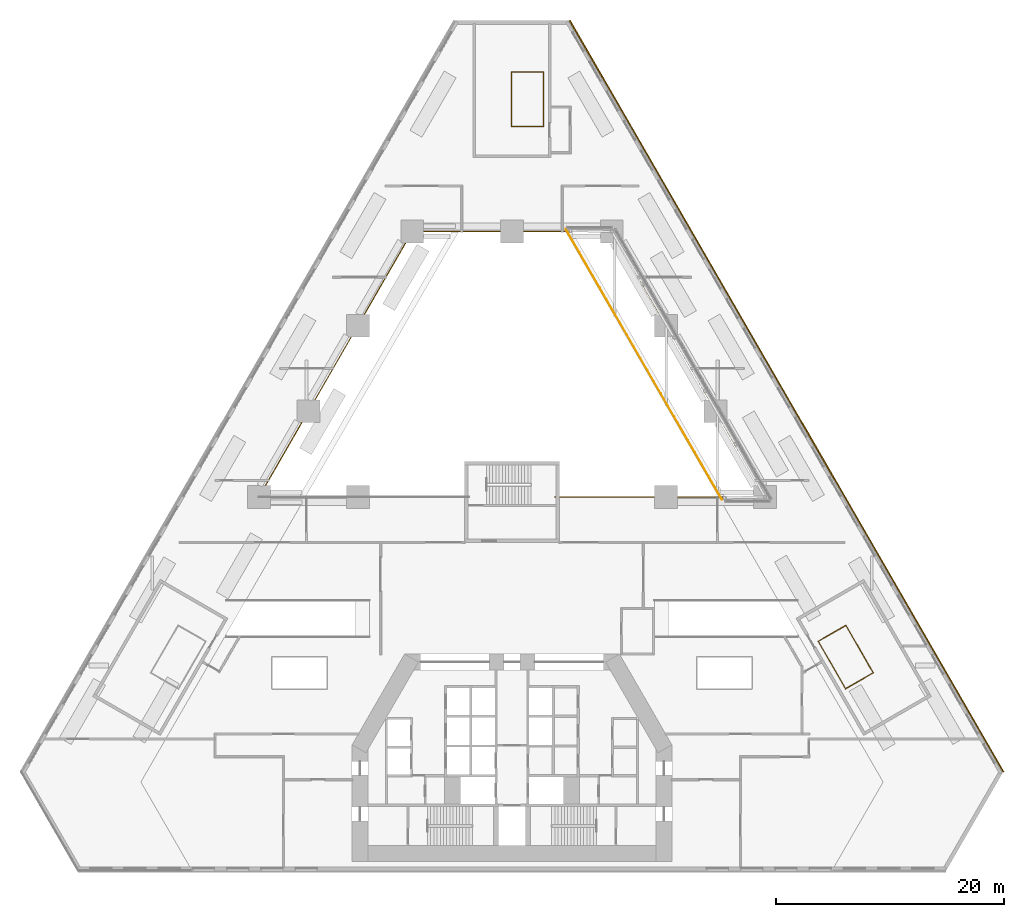
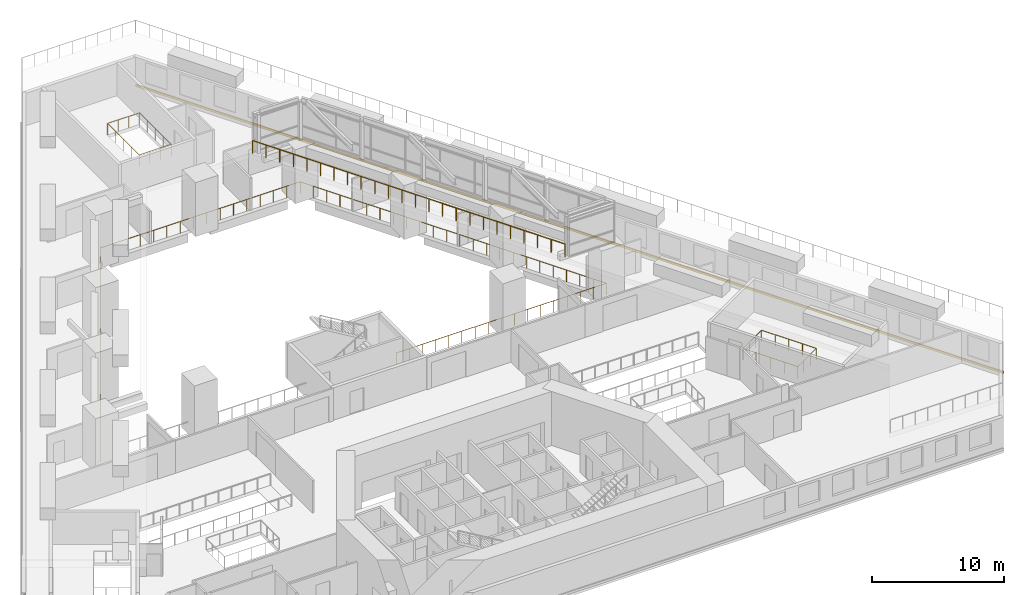
# One storey, part 19 of 19: 4 railings, 1 covering.
"""IFC4 building model written with IfcOpenShell, lengths in metres."""

from ifc_helpers import new_model, si_unit, direction, frame, origin, origin_2d, place, context, subcontext, project, spatial, polyline, circle, outline, extrude, material, type_object, element, save


model = new_model("IFC4")

# Units and contexts
model_context = context("Model", 3, precision=1e-05, world=origin(), true_north=direction((0.0, 1.0)))
body_context = subcontext(model_context, "Body", "Model", "MODEL_VIEW")
ifc_project = project(units=[si_unit("LENGTHUNIT", "METRE"), si_unit("AREAUNIT", "SQUARE_METRE"), si_unit("VOLUMEUNIT", "CUBIC_METRE"), si_unit("PLANEANGLEUNIT", "RADIAN"), si_unit("MASSUNIT", "GRAM", prefix="KILO")], contexts=[model_context])

# Site, building, storey
site_placement = place(None, origin())
site = spatial("IfcSite", under=ifc_project, at=site_placement, CompositionType="ELEMENT")
building_placement = place(site_placement, origin())
building = spatial("IfcBuilding", under=site, at=building_placement, Name="Fogline Exchange Tower", CompositionType="ELEMENT")
storey_placement = place(building_placement, frame((0.0, 0.0, 20.0)))
storey = spatial("IfcBuildingStorey", under=building, at=storey_placement, Name="L03", CompositionType="ELEMENT", Elevation=20.0)

# Railings
ifc_material_1 = material(Name="Stainless steel 304", Category="steel")
railing_type_1 = type_object("IfcRailingType", Name="G1", PredefinedType="GUARDRAIL", material=ifc_material_1)
railing_1_placement = place(storey_placement, frame((4.714599609375, 56.22021484375, 5.0)))
element("IfcRailing", 1, at=railing_1_placement, inside=storey, type_object=railing_type_1, Name="Lantern opening guard", PredefinedType="GUARDRAIL", context=body_context, shape_type="SweptSolid", body=[
    extrude(circle(Radius=0.02392578125, at=origin_2d()), frame((0.0, 0.0, 1.17578125), z_axis=(0.499992705137, -0.866029615435, 0.0), x_axis=(0.866029615435, 0.499992705137, 0.0)), (0.0, 0.0, 1.0), 27.34375),
    extrude(circle(Radius=0.02099609375, at=origin_2d()), origin(), (0.0, 0.0, 1.0), 1.15185546875),
    extrude(circle(Radius=0.02099609375, at=origin_2d()), frame((0.594482421875, -1.029541015625, 0.0)), (0.0, 0.0, 1.0), 1.15185546875),
    extrude(circle(Radius=0.02099609375, at=origin_2d()), frame((1.188720703125, -2.05908203125, 0.0)), (0.0, 0.0, 1.0), 1.15185546875),
    extrude(circle(Radius=0.02099609375, at=origin_2d()), frame((1.783203125, -3.0888671875, 0.0)), (0.0, 0.0, 1.0), 1.15185546875),
    extrude(circle(Radius=0.02099609375, at=origin_2d()), frame((2.377685546875, -4.118408203125, 0.0)), (0.0, 0.0, 1.0), 1.15185546875),
    extrude(circle(Radius=0.02099609375, at=origin_2d()), frame((2.97216796875, -5.14794921875, 0.0)), (0.0, 0.0, 1.0), 1.15185546875),
    extrude(circle(Radius=0.02099609375, at=origin_2d()), frame((3.56640625, -6.177490234375, 0.0)), (0.0, 0.0, 1.0), 1.15185546875),
    extrude(circle(Radius=0.02099609375, at=origin_2d()), frame((4.160888671875, -7.20703125, 0.0)), (0.0, 0.0, 1.0), 1.15185546875),
    extrude(circle(Radius=0.02099609375, at=origin_2d()), frame((4.75537109375, -8.236572265625, 0.0)), (0.0, 0.0, 1.0), 1.15185546875),
    extrude(circle(Radius=0.02099609375, at=origin_2d()), frame((5.349853515625, -9.266357421875, 0.0)), (0.0, 0.0, 1.0), 1.15185546875),
    extrude(circle(Radius=0.02099609375, at=origin_2d()), frame((5.944091796875, -10.2958984375, 0.0)), (0.0, 0.0, 1.0), 1.15185546875),
    extrude(circle(Radius=0.02099609375, at=origin_2d()), frame((6.53857421875, -11.325439453125, 0.0)), (0.0, 0.0, 1.0), 1.15185546875),
    extrude(circle(Radius=0.02099609375, at=origin_2d()), frame((7.133056640625, -12.35498046875, 0.0)), (0.0, 0.0, 1.0), 1.15185546875),
    extrude(circle(Radius=0.02099609375, at=origin_2d()), frame((7.7275390625, -13.384521484375, 0.0)), (0.0, 0.0, 1.0), 1.15185546875),
    extrude(circle(Radius=0.02099609375, at=origin_2d()), frame((8.32177734375, -14.4140625, 0.0)), (0.0, 0.0, 1.0), 1.15185546875),
    extrude(circle(Radius=0.02099609375, at=origin_2d()), frame((8.916259765625, -15.44384765625, 0.0)), (0.0, 0.0, 1.0), 1.15185546875),
    extrude(circle(Radius=0.02099609375, at=origin_2d()), frame((9.5107421875, -16.473388671875, 0.0)), (0.0, 0.0, 1.0), 1.15185546875),
    extrude(circle(Radius=0.02099609375, at=origin_2d()), frame((10.105224609375, -17.5029296875, 0.0)), (0.0, 0.0, 1.0), 1.15185546875),
    extrude(circle(Radius=0.02099609375, at=origin_2d()), frame((10.699462890625, -18.532470703125, 0.0)), (0.0, 0.0, 1.0), 1.15185546875),
    extrude(circle(Radius=0.02099609375, at=origin_2d()), frame((11.2939453125, -19.56201171875, 0.0)), (0.0, 0.0, 1.0), 1.15185546875),
    extrude(circle(Radius=0.02099609375, at=origin_2d()), frame((11.888427734375, -20.591552734375, 0.0)), (0.0, 0.0, 1.0), 1.15185546875),
    extrude(circle(Radius=0.02099609375, at=origin_2d()), frame((12.48291015625, -21.621337890625, 0.0)), (0.0, 0.0, 1.0), 1.15185546875),
    extrude(circle(Radius=0.02099609375, at=origin_2d()), frame((13.0771484375, -22.65087890625, 0.0)), (0.0, 0.0, 1.0), 1.15185546875),
    extrude(circle(Radius=0.02099609375, at=origin_2d()), frame((13.671630859375, -23.680419921875, 0.0)), (0.0, 0.0, 1.0), 1.15185546875),
])
ifc_material_2 = material(Name="Steel Q235B", Category="steel")
railing_type_2 = type_object("IfcRailingType", Name="PG1", PredefinedType="GUARDRAIL", material=ifc_material_2)
railing_2_placement = place(storey_placement, frame((31.63818359375, 17.360107421875, 0.0)))
element("IfcRailing", 2, at=railing_2_placement, inside=storey, type_object=railing_type_2, Name="Stair well guard ST5", PredefinedType="GUARDRAIL", context=body_context, shape_type="SweptSolid", body=[
    extrude(circle(Radius=0.02392578125, at=origin_2d()), frame((0.0, 0.0, 1.076171875), z_axis=(-0.866034573852, -0.49998411664, 0.0), x_axis=(0.49998411664, -0.866034573852, 0.0)), (0.0, 0.0, 1.0), 2.7998046875),
    extrude(circle(Radius=0.02392578125, at=origin_2d()), frame((-2.4248046875, -1.39990234375, 1.076171875), z_axis=(-0.499980858223, 0.866036455013, 0.0), x_axis=(-0.866036455013, -0.499980858223, 0.0)), (0.0, 0.0, 1.0), 4.798095703125),
    extrude(circle(Radius=0.02392578125, at=origin_2d()), frame((-4.82373046875, 2.75537109375, 1.076171875), z_axis=(0.866034573852, 0.49998411664, 0.0), x_axis=(-0.49998411664, 0.866034573852, 0.0)), (0.0, 0.0, 1.0), 2.7998046875),
    extrude(circle(Radius=0.02392578125, at=origin_2d()), frame((-2.39892578125, 4.1552734375, 1.076171875), z_axis=(0.499073298258, -0.866559774606, 0.0), x_axis=(0.866559774606, 0.499073298258, 0.0)), (0.0, 0.0, 1.0), 4.7978515625),
    extrude(circle(Radius=0.02099609375, at=origin_2d()), origin(), (0.0, 0.0, 1.0), 1.052001953125),
    extrude(circle(Radius=0.02099609375, at=origin_2d()), frame((-0.808349609375, -0.466552734375, 0.0)), (0.0, 0.0, 1.0), 1.052001953125),
    extrude(circle(Radius=0.02099609375, at=origin_2d()), frame((-1.616455078125, -0.933349609375, 0.0)), (0.0, 0.0, 1.0), 1.052001953125),
    extrude(circle(Radius=0.02099609375, at=origin_2d()), frame((-2.4248046875, -1.39990234375, 0.0)), (0.0, 0.0, 1.0), 1.052001953125),
    extrude(circle(Radius=0.02099609375, at=origin_2d()), frame((-3.0244140625, -0.361083984375, 0.0)), (0.0, 0.0, 1.0), 1.052001953125),
    extrude(circle(Radius=0.02099609375, at=origin_2d()), frame((-3.624267578125, 0.677734375, 0.0)), (0.0, 0.0, 1.0), 1.052001953125),
    extrude(circle(Radius=0.02099609375, at=origin_2d()), frame((-4.22412109375, 1.716552734375, 0.0)), (0.0, 0.0, 1.0), 1.052001953125),
    extrude(circle(Radius=0.02099609375, at=origin_2d()), frame((-4.82373046875, 2.75537109375, 0.0)), (0.0, 0.0, 1.0), 1.052001953125),
    extrude(circle(Radius=0.02099609375, at=origin_2d()), frame((-4.015380859375, 3.221923828125, 0.0)), (0.0, 0.0, 1.0), 1.052001953125),
    extrude(circle(Radius=0.02099609375, at=origin_2d()), frame((-3.207275390625, 3.688720703125, 0.0)), (0.0, 0.0, 1.0), 1.052001953125),
    extrude(circle(Radius=0.02099609375, at=origin_2d()), frame((-2.39892578125, 4.1552734375, 0.0)), (0.0, 0.0, 1.0), 1.052001953125),
    extrude(circle(Radius=0.02099609375, at=origin_2d()), frame((-1.80029296875, 3.11572265625, 0.0)), (0.0, 0.0, 1.0), 1.052001953125),
    extrude(circle(Radius=0.02099609375, at=origin_2d()), frame((-1.20166015625, 2.076416015625, 0.0)), (0.0, 0.0, 1.0), 1.052001953125),
    extrude(circle(Radius=0.02099609375, at=origin_2d()), frame((-0.60302734375, 1.037109375, 0.0)), (0.0, 0.0, 1.0), 1.052001953125),
    extrude(circle(Radius=0.02099609375, at=origin_2d()), frame((-0.00439453125, -0.00244140625, 0.0)), (0.0, 0.0, 1.0), 1.052001953125),
])
railing_3_placement = place(storey_placement, frame((-0.050048828125, 69.985107421875, 0.0)))
element("IfcRailing", 3, at=railing_3_placement, inside=storey, type_object=railing_type_2, Name="Stair well guard ST6", PredefinedType="GUARDRAIL", context=body_context, shape_type="SweptSolid", body=[
    extrude(circle(Radius=0.02392578125, at=origin_2d()), frame((0.0, 0.0, 1.076171875), z_axis=(1.0, 0.0, 0.0), x_axis=(0.0, 1.0, 0.0)), (0.0, 0.0, 1.0), 2.800048828125),
    extrude(circle(Radius=0.02392578125, at=origin_2d()), frame((2.800048828125, 0.0, 1.076171875), z_axis=(0.0, -1.0, 0.0), x_axis=(1.0, 0.0, 0.0)), (0.0, 0.0, 1.0), 4.798095703125),
    extrude(circle(Radius=0.02392578125, at=origin_2d()), frame((2.800048828125, -4.798095703125, 1.076171875), z_axis=(-1.0, 0.0, 0.0), x_axis=(0.0, -1.0, 0.0)), (0.0, 0.0, 1.0), 2.800048828125),
    extrude(circle(Radius=0.02392578125, at=origin_2d()), frame((0.0, -4.798095703125, 1.076171875), z_axis=(0.001068538544, 0.999999429113, 0.0), x_axis=(-0.999999429113, 0.001068538544, 0.0)), (0.0, 0.0, 1.0), 4.798095703125),
    extrude(circle(Radius=0.02099609375, at=origin_2d()), origin(), (0.0, 0.0, 1.0), 1.052001953125),
    extrude(circle(Radius=0.02099609375, at=origin_2d()), frame((0.933349609375, 0.0, 0.0)), (0.0, 0.0, 1.0), 1.052001953125),
    extrude(circle(Radius=0.02099609375, at=origin_2d()), frame((1.86669921875, 0.0, 0.0)), (0.0, 0.0, 1.0), 1.052001953125),
    extrude(circle(Radius=0.02099609375, at=origin_2d()), frame((2.800048828125, 0.0, 0.0)), (0.0, 0.0, 1.0), 1.052001953125),
    extrude(circle(Radius=0.02099609375, at=origin_2d()), frame((2.800048828125, -1.199462890625, 0.0)), (0.0, 0.0, 1.0), 1.052001953125),
    extrude(circle(Radius=0.02099609375, at=origin_2d()), frame((2.800048828125, -2.39892578125, 0.0)), (0.0, 0.0, 1.0), 1.052001953125),
    extrude(circle(Radius=0.02099609375, at=origin_2d()), frame((2.800048828125, -3.5986328125, 0.0)), (0.0, 0.0, 1.0), 1.052001953125),
    extrude(circle(Radius=0.02099609375, at=origin_2d()), frame((2.800048828125, -4.798095703125, 0.0)), (0.0, 0.0, 1.0), 1.052001953125),
    extrude(circle(Radius=0.02099609375, at=origin_2d()), frame((1.86669921875, -4.798095703125, 0.0)), (0.0, 0.0, 1.0), 1.052001953125),
    extrude(circle(Radius=0.02099609375, at=origin_2d()), frame((0.933349609375, -4.798095703125, 0.0)), (0.0, 0.0, 1.0), 1.052001953125),
    extrude(circle(Radius=0.02099609375, at=origin_2d()), frame((0.0, -4.798095703125, 0.0)), (0.0, 0.0, 1.0), 1.052001953125),
    extrude(circle(Radius=0.02099609375, at=origin_2d()), frame((0.001220703125, -3.5986328125, 0.0)), (0.0, 0.0, 1.0), 1.052001953125),
    extrude(circle(Radius=0.02099609375, at=origin_2d()), frame((0.00244140625, -2.39892578125, 0.0)), (0.0, 0.0, 1.0), 1.052001953125),
    extrude(circle(Radius=0.02099609375, at=origin_2d()), frame((0.00390625, -1.199462890625, 0.0)), (0.0, 0.0, 1.0), 1.052001953125),
    extrude(circle(Radius=0.02099609375, at=origin_2d()), frame((0.005126953125, 0.0, 0.0)), (0.0, 0.0, 1.0), 1.052001953125),
])
railing_4_placement = place(storey_placement, frame((3.75, 32.760009765625, 0.0)))
element("IfcRailing", 4, at=railing_4_placement, inside=storey, type_object=railing_type_2, Name="Gallery guard", PredefinedType="GUARDRAIL", context=body_context, shape_type="SweptSolid", body=[
    extrude(circle(Radius=0.02392578125, at=origin_2d()), frame((0.0, 0.0, 1.076171875), z_axis=(1.0, 0.0, 0.0), x_axis=(0.0, 1.0, 0.0)), (0.0, 0.0, 1.0), 18.40771484375),
    extrude(circle(Radius=0.02392578125, at=origin_2d()), frame((18.40771484375, 0.0, 1.076171875), z_axis=(-0.499996250744, 0.866027568408, 0.0), x_axis=(-0.866027568408, -0.499996250744, 0.0)), (0.0, 0.0, 1.0), 26.835205078125),
    extrude(circle(Radius=0.02392578125, at=origin_2d()), frame((4.990234375, 23.239990234375, 1.076171875), z_axis=(-1.0, 0.0, 0.0), x_axis=(0.0, -1.0, 0.0)), (0.0, 0.0, 1.0), 17.48046875),
    extrude(circle(Radius=0.02392578125, at=origin_2d()), frame((-12.490234375, 23.239990234375, 1.076171875), z_axis=(-0.499996250744, -0.866027568408, 0.0), x_axis=(0.866027568408, -0.499996250744, 0.0)), (0.0, 0.0, 1.0), 26.835205078125),
    extrude(circle(Radius=0.02099609375, at=origin_2d()), origin(), (0.0, 0.0, 1.0), 1.052001953125),
    extrude(circle(Radius=0.02099609375, at=origin_2d()), frame((1.150390625, 0.0, 0.0)), (0.0, 0.0, 1.0), 1.052001953125),
    extrude(circle(Radius=0.02099609375, at=origin_2d()), frame((2.301025390625, 0.0, 0.0)), (0.0, 0.0, 1.0), 1.052001953125),
    extrude(circle(Radius=0.02099609375, at=origin_2d()), frame((3.451416015625, 0.0, 0.0)), (0.0, 0.0, 1.0), 1.052001953125),
    extrude(circle(Radius=0.02099609375, at=origin_2d()), frame((4.60205078125, 0.0, 0.0)), (0.0, 0.0, 1.0), 1.052001953125),
    extrude(circle(Radius=0.02099609375, at=origin_2d()), frame((5.75244140625, 0.0, 0.0)), (0.0, 0.0, 1.0), 1.052001953125),
    extrude(circle(Radius=0.02099609375, at=origin_2d()), frame((6.90283203125, 0.0, 0.0)), (0.0, 0.0, 1.0), 1.052001953125),
    extrude(circle(Radius=0.02099609375, at=origin_2d()), frame((8.053466796875, 0.0, 0.0)), (0.0, 0.0, 1.0), 1.052001953125),
    extrude(circle(Radius=0.02099609375, at=origin_2d()), frame((9.203857421875, 0.0, 0.0)), (0.0, 0.0, 1.0), 1.052001953125),
    extrude(circle(Radius=0.02099609375, at=origin_2d()), frame((10.354248046875, 0.0, 0.0)), (0.0, 0.0, 1.0), 1.052001953125),
    extrude(circle(Radius=0.02099609375, at=origin_2d()), frame((11.5048828125, 0.0, 0.0)), (0.0, 0.0, 1.0), 1.052001953125),
    extrude(circle(Radius=0.02099609375, at=origin_2d()), frame((12.6552734375, 0.0, 0.0)), (0.0, 0.0, 1.0), 1.052001953125),
    extrude(circle(Radius=0.02099609375, at=origin_2d()), frame((13.8056640625, 0.0, 0.0)), (0.0, 0.0, 1.0), 1.052001953125),
    extrude(circle(Radius=0.02099609375, at=origin_2d()), frame((14.956298828125, 0.0, 0.0)), (0.0, 0.0, 1.0), 1.052001953125),
    extrude(circle(Radius=0.02099609375, at=origin_2d()), frame((16.106689453125, 0.0, 0.0)), (0.0, 0.0, 1.0), 1.052001953125),
    extrude(circle(Radius=0.02099609375, at=origin_2d()), frame((17.25732421875, 0.0, 0.0)), (0.0, 0.0, 1.0), 1.052001953125),
    extrude(circle(Radius=0.02099609375, at=origin_2d()), frame((18.40771484375, 0.0, 0.0)), (0.0, 0.0, 1.0), 1.052001953125),
    extrude(circle(Radius=0.02099609375, at=origin_2d()), frame((17.824462890625, 1.010498046875, 0.0)), (0.0, 0.0, 1.0), 1.052001953125),
    extrude(circle(Radius=0.02099609375, at=origin_2d()), frame((17.240966796875, 2.020751953125, 0.0)), (0.0, 0.0, 1.0), 1.052001953125),
    extrude(circle(Radius=0.02099609375, at=origin_2d()), frame((16.65771484375, 3.03125, 0.0)), (0.0, 0.0, 1.0), 1.052001953125),
    extrude(circle(Radius=0.02099609375, at=origin_2d()), frame((16.07421875, 4.041748046875, 0.0)), (0.0, 0.0, 1.0), 1.052001953125),
    extrude(circle(Radius=0.02099609375, at=origin_2d()), frame((15.490966796875, 5.05224609375, 0.0)), (0.0, 0.0, 1.0), 1.052001953125),
    extrude(circle(Radius=0.02099609375, at=origin_2d()), frame((14.907470703125, 6.0625, 0.0)), (0.0, 0.0, 1.0), 1.052001953125),
    extrude(circle(Radius=0.02099609375, at=origin_2d()), frame((14.32421875, 7.072998046875, 0.0)), (0.0, 0.0, 1.0), 1.052001953125),
    extrude(circle(Radius=0.02099609375, at=origin_2d()), frame((13.74072265625, 8.08349609375, 0.0)), (0.0, 0.0, 1.0), 1.052001953125),
    extrude(circle(Radius=0.02099609375, at=origin_2d()), frame((13.157470703125, 9.093994140625, 0.0)), (0.0, 0.0, 1.0), 1.052001953125),
    extrude(circle(Radius=0.02099609375, at=origin_2d()), frame((12.573974609375, 10.104248046875, 0.0)), (0.0, 0.0, 1.0), 1.052001953125),
    extrude(circle(Radius=0.02099609375, at=origin_2d()), frame((11.99072265625, 11.11474609375, 0.0)), (0.0, 0.0, 1.0), 1.052001953125),
    extrude(circle(Radius=0.02099609375, at=origin_2d()), frame((11.4072265625, 12.125244140625, 0.0)), (0.0, 0.0, 1.0), 1.052001953125),
    extrude(circle(Radius=0.02099609375, at=origin_2d()), frame((10.823974609375, 13.1357421875, 0.0)), (0.0, 0.0, 1.0), 1.052001953125),
    extrude(circle(Radius=0.02099609375, at=origin_2d()), frame((10.240478515625, 14.14599609375, 0.0)), (0.0, 0.0, 1.0), 1.052001953125),
    extrude(circle(Radius=0.02099609375, at=origin_2d()), frame((9.6572265625, 15.156494140625, 0.0)), (0.0, 0.0, 1.0), 1.052001953125),
    extrude(circle(Radius=0.02099609375, at=origin_2d()), frame((9.07373046875, 16.1669921875, 0.0)), (0.0, 0.0, 1.0), 1.052001953125),
    extrude(circle(Radius=0.02099609375, at=origin_2d()), frame((8.490478515625, 17.177490234375, 0.0)), (0.0, 0.0, 1.0), 1.052001953125),
    extrude(circle(Radius=0.02099609375, at=origin_2d()), frame((7.906982421875, 18.187744140625, 0.0)), (0.0, 0.0, 1.0), 1.052001953125),
    extrude(circle(Radius=0.02099609375, at=origin_2d()), frame((7.32373046875, 19.1982421875, 0.0)), (0.0, 0.0, 1.0), 1.052001953125),
    extrude(circle(Radius=0.02099609375, at=origin_2d()), frame((6.740234375, 20.208740234375, 0.0)), (0.0, 0.0, 1.0), 1.052001953125),
    extrude(circle(Radius=0.02099609375, at=origin_2d()), frame((6.156982421875, 21.21923828125, 0.0)), (0.0, 0.0, 1.0), 1.052001953125),
    extrude(circle(Radius=0.02099609375, at=origin_2d()), frame((5.573486328125, 22.2294921875, 0.0)), (0.0, 0.0, 1.0), 1.052001953125),
    extrude(circle(Radius=0.02099609375, at=origin_2d()), frame((4.990234375, 23.239990234375, 0.0)), (0.0, 0.0, 1.0), 1.052001953125),
    extrude(circle(Radius=0.02099609375, at=origin_2d()), frame((3.824951171875, 23.239990234375, 0.0)), (0.0, 0.0, 1.0), 1.052001953125),
    extrude(circle(Radius=0.02099609375, at=origin_2d()), frame((2.659423828125, 23.239990234375, 0.0)), (0.0, 0.0, 1.0), 1.052001953125),
    extrude(circle(Radius=0.02099609375, at=origin_2d()), frame((1.494140625, 23.239990234375, 0.0)), (0.0, 0.0, 1.0), 1.052001953125),
    extrude(circle(Radius=0.02099609375, at=origin_2d()), frame((0.328857421875, 23.239990234375, 0.0)), (0.0, 0.0, 1.0), 1.052001953125),
    extrude(circle(Radius=0.02099609375, at=origin_2d()), frame((-0.836669921875, 23.239990234375, 0.0)), (0.0, 0.0, 1.0), 1.052001953125),
    extrude(circle(Radius=0.02099609375, at=origin_2d()), frame((-2.001953125, 23.239990234375, 0.0)), (0.0, 0.0, 1.0), 1.052001953125),
    extrude(circle(Radius=0.02099609375, at=origin_2d()), frame((-3.167236328125, 23.239990234375, 0.0)), (0.0, 0.0, 1.0), 1.052001953125),
    extrude(circle(Radius=0.02099609375, at=origin_2d()), frame((-4.332763671875, 23.239990234375, 0.0)), (0.0, 0.0, 1.0), 1.052001953125),
    extrude(circle(Radius=0.02099609375, at=origin_2d()), frame((-5.498046875, 23.239990234375, 0.0)), (0.0, 0.0, 1.0), 1.052001953125),
    extrude(circle(Radius=0.02099609375, at=origin_2d()), frame((-6.663330078125, 23.239990234375, 0.0)), (0.0, 0.0, 1.0), 1.052001953125),
    extrude(circle(Radius=0.02099609375, at=origin_2d()), frame((-7.828857421875, 23.239990234375, 0.0)), (0.0, 0.0, 1.0), 1.052001953125),
    extrude(circle(Radius=0.02099609375, at=origin_2d()), frame((-8.994140625, 23.239990234375, 0.0)), (0.0, 0.0, 1.0), 1.052001953125),
    extrude(circle(Radius=0.02099609375, at=origin_2d()), frame((-10.159423828125, 23.239990234375, 0.0)), (0.0, 0.0, 1.0), 1.052001953125),
    extrude(circle(Radius=0.02099609375, at=origin_2d()), frame((-11.324951171875, 23.239990234375, 0.0)), (0.0, 0.0, 1.0), 1.052001953125),
    extrude(circle(Radius=0.02099609375, at=origin_2d()), frame((-12.490234375, 23.239990234375, 0.0)), (0.0, 0.0, 1.0), 1.052001953125),
    extrude(circle(Radius=0.02099609375, at=origin_2d()), frame((-13.073486328125, 22.2294921875, 0.0)), (0.0, 0.0, 1.0), 1.052001953125),
    extrude(circle(Radius=0.02099609375, at=origin_2d()), frame((-13.656982421875, 21.21923828125, 0.0)), (0.0, 0.0, 1.0), 1.052001953125),
    extrude(circle(Radius=0.02099609375, at=origin_2d()), frame((-14.240234375, 20.208740234375, 0.0)), (0.0, 0.0, 1.0), 1.052001953125),
    extrude(circle(Radius=0.02099609375, at=origin_2d()), frame((-14.82373046875, 19.1982421875, 0.0)), (0.0, 0.0, 1.0), 1.052001953125),
    extrude(circle(Radius=0.02099609375, at=origin_2d()), frame((-15.406982421875, 18.187744140625, 0.0)), (0.0, 0.0, 1.0), 1.052001953125),
    extrude(circle(Radius=0.02099609375, at=origin_2d()), frame((-15.990478515625, 17.177490234375, 0.0)), (0.0, 0.0, 1.0), 1.052001953125),
    extrude(circle(Radius=0.02099609375, at=origin_2d()), frame((-16.57373046875, 16.1669921875, 0.0)), (0.0, 0.0, 1.0), 1.052001953125),
    extrude(circle(Radius=0.02099609375, at=origin_2d()), frame((-17.1572265625, 15.156494140625, 0.0)), (0.0, 0.0, 1.0), 1.052001953125),
    extrude(circle(Radius=0.02099609375, at=origin_2d()), frame((-17.740478515625, 14.14599609375, 0.0)), (0.0, 0.0, 1.0), 1.052001953125),
    extrude(circle(Radius=0.02099609375, at=origin_2d()), frame((-18.323974609375, 13.1357421875, 0.0)), (0.0, 0.0, 1.0), 1.052001953125),
    extrude(circle(Radius=0.02099609375, at=origin_2d()), frame((-18.9072265625, 12.125244140625, 0.0)), (0.0, 0.0, 1.0), 1.052001953125),
    extrude(circle(Radius=0.02099609375, at=origin_2d()), frame((-19.49072265625, 11.11474609375, 0.0)), (0.0, 0.0, 1.0), 1.052001953125),
    extrude(circle(Radius=0.02099609375, at=origin_2d()), frame((-20.073974609375, 10.104248046875, 0.0)), (0.0, 0.0, 1.0), 1.052001953125),
    extrude(circle(Radius=0.02099609375, at=origin_2d()), frame((-20.657470703125, 9.093994140625, 0.0)), (0.0, 0.0, 1.0), 1.052001953125),
    extrude(circle(Radius=0.02099609375, at=origin_2d()), frame((-21.24072265625, 8.08349609375, 0.0)), (0.0, 0.0, 1.0), 1.052001953125),
    extrude(circle(Radius=0.02099609375, at=origin_2d()), frame((-21.82421875, 7.072998046875, 0.0)), (0.0, 0.0, 1.0), 1.052001953125),
    extrude(circle(Radius=0.02099609375, at=origin_2d()), frame((-22.407470703125, 6.0625, 0.0)), (0.0, 0.0, 1.0), 1.052001953125),
    extrude(circle(Radius=0.02099609375, at=origin_2d()), frame((-22.990966796875, 5.05224609375, 0.0)), (0.0, 0.0, 1.0), 1.052001953125),
    extrude(circle(Radius=0.02099609375, at=origin_2d()), frame((-23.57421875, 4.041748046875, 0.0)), (0.0, 0.0, 1.0), 1.052001953125),
    extrude(circle(Radius=0.02099609375, at=origin_2d()), frame((-24.15771484375, 3.03125, 0.0)), (0.0, 0.0, 1.0), 1.052001953125),
    extrude(circle(Radius=0.02099609375, at=origin_2d()), frame((-24.740966796875, 2.020751953125, 0.0)), (0.0, 0.0, 1.0), 1.052001953125),
    extrude(circle(Radius=0.02099609375, at=origin_2d()), frame((-25.324462890625, 1.010498046875, 0.0)), (0.0, 0.0, 1.0), 1.052001953125),
    extrude(circle(Radius=0.02099609375, at=origin_2d()), frame((-25.90771484375, 0.0, 0.0)), (0.0, 0.0, 1.0), 1.052001953125),
])

# Covering
ifc_material_3 = material(Name="Brick masonry", Category="masonry")
covering_type = type_object("IfcCoveringType", Name="SB1", PredefinedType="CLADDING", material=ifc_material_3)
covering_placement = place(storey_placement, origin())
element("IfcCovering", 5, at=covering_placement, inside=storey, type_object=covering_type, Name="Stringcourse band L03 E", PredefinedType="CLADDING", context=body_context, shape_type="SweptSolid", body=[
    extrude(outline(polyline([(43.0, 8.660400390625), (43.086669921875, 8.710205078125), (5.086669921875, 74.5283203125), (5.0, 74.478271484375), (43.0, 8.660400390625)])), origin(), (0.0, 0.0, 1.0), 0.199951171875),
])

save(model, "model.ifc")
